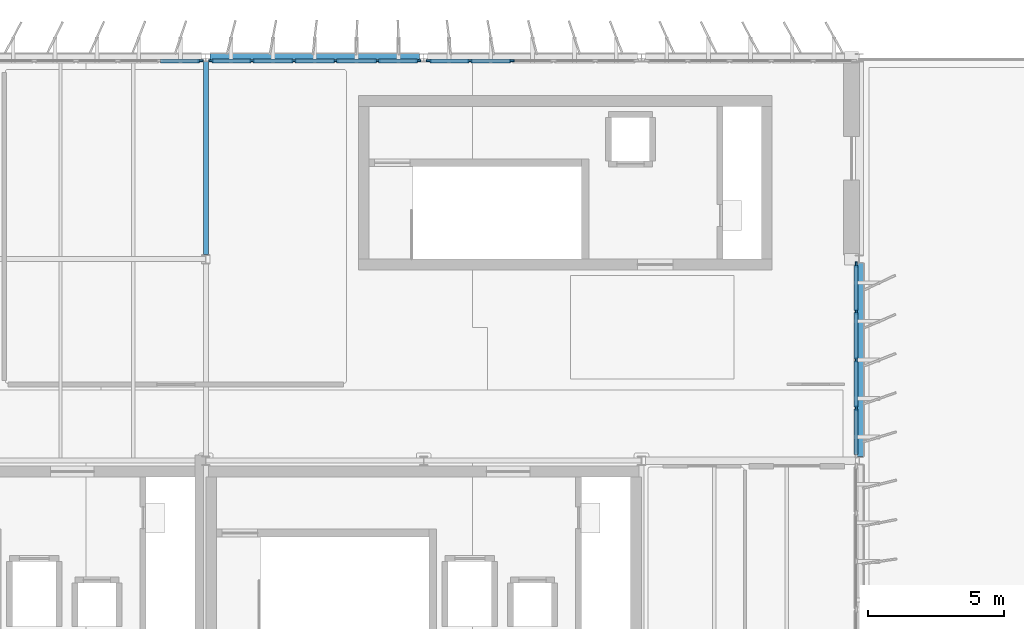
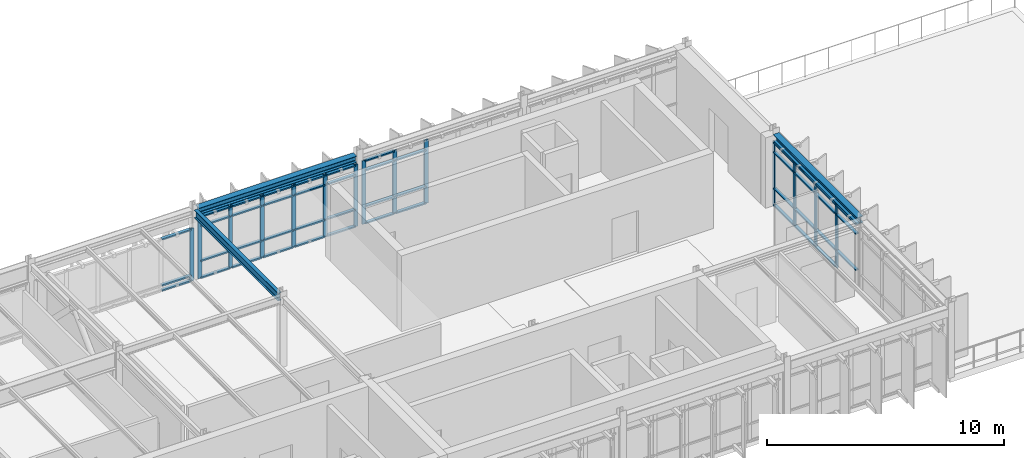
# One storey, part 9 of 20: 59 members, 3 beams, 4 elements without a shape of their own.
"""IFC4 building model written with IfcOpenShell, lengths in metres."""

from ifc_helpers import new_model, si_unit, direction, frame, origin, origin_2d, place, context, subcontext, project, spatial, rectangle, i_section, extrude, material, layer, layer_set, material_profile, profile_set, type_object, element, aggregate, save


model = new_model("IFC4")

# Units and contexts
model_context = context("Model", 3, precision=1e-05, world=origin(), true_north=direction((0.0, 1.0)))
body_context = subcontext(model_context, "Body", "Model", "MODEL_VIEW")
ifc_project = project(units=[si_unit("LENGTHUNIT", "METRE"), si_unit("AREAUNIT", "SQUARE_METRE"), si_unit("VOLUMEUNIT", "CUBIC_METRE"), si_unit("PLANEANGLEUNIT", "RADIAN"), si_unit("MASSUNIT", "GRAM", prefix="KILO")], contexts=[model_context])

# Site, building, storey
site_placement = place(None, origin())
site = spatial("IfcSite", under=ifc_project, at=site_placement, CompositionType="ELEMENT")
building_placement = place(site_placement, origin())
building = spatial("IfcBuilding", under=site, at=building_placement, Name="Valkorina Park Police Headquarters", CompositionType="ELEMENT")
storey_placement = place(building_placement, frame((0.0, 0.0, 31.10009765625)))
storey = spatial("IfcBuildingStorey", under=building, at=storey_placement, Name="L08", CompositionType="ELEMENT", Elevation=31.10009765625)

# Beams
ifc_material_1 = material(Name="Steel S355", Category="steel")
ifc_material_profile_1 = material_profile(ifc_material_1, i_section(OverallWidth=0.300048828125, OverallDepth=0.330078125, WebThickness=0.009521484375, FlangeThickness=0.0166015625, FilletRadius=0.027099609375, at=origin_2d()), Name="HEA 340")
ifc_profile_set_1 = profile_set([ifc_material_profile_1], Name="Steel S355")
beam_type_1 = type_object("IfcBeamType", Name="BM-S355-HEA340-SPN", PredefinedType="SPANDREL", material=ifc_profile_set_1)
beam_1_placement = place(storey_placement, frame((32.949951171875, 59.199951171875, 3.454833984375), z_axis=(1.0, 0.0, 0.0), x_axis=(0.0, 1.0, 0.0)))
element("IfcBeam", 1, at=beam_1_placement, inside=storey, type_object=beam_type_1, Name="L08 Framing Beam 2815", PredefinedType="SPANDREL", context=body_context, shape_type="SweptSolid", body=[
    extrude(i_section(OverallWidth=0.300048828125, OverallDepth=0.330078125, WebThickness=0.009521484375, FlangeThickness=0.0166015625, FilletRadius=0.027099609375, at=origin_2d()), origin(), (0.0, 0.0, 1.0), 7.699951171875),
])
beam_2_placement = place(storey_placement, frame((56.800048828125, 44.550048828125, 3.454833984375), z_axis=(0.0, 1.0, 0.0), x_axis=(-1.0, 0.0, 0.0)))
element("IfcBeam", 2, at=beam_2_placement, inside=storey, type_object=beam_type_1, Name="L08 Framing Beam 2856", PredefinedType="SPANDREL", context=body_context, shape_type="SweptSolid", body=[
    extrude(i_section(OverallWidth=0.300048828125, OverallDepth=0.330078125, WebThickness=0.009521484375, FlangeThickness=0.0166015625, FilletRadius=0.027099609375, at=origin_2d()), origin(), (0.0, 0.0, 1.0), 7.099853515625),
])
ifc_material_profile_2 = material_profile(ifc_material_1, i_section(OverallWidth=0.179931640625, OverallDepth=0.39990234375, WebThickness=0.008544921875, FlangeThickness=0.013427734375, FilletRadius=0.02099609375, at=origin_2d()), Name="IPE 400")
ifc_profile_set_2 = profile_set([ifc_material_profile_2], Name="Steel S355")
beam_type_2 = type_object("IfcBeamType", Name="BM-S355-IPE400-BM", PredefinedType="BEAM", material=ifc_profile_set_2)
beam_3_placement = place(storey_placement, frame((32.800048828125, 51.965087890625, 3.419921875), z_axis=(0.0, 1.0, 0.0), x_axis=(-1.0, 0.0, 0.0)))
element("IfcBeam", 3, at=beam_3_placement, inside=storey, type_object=beam_type_2, Name="L08 Framing Beam 2851", PredefinedType="BEAM", context=body_context, shape_type="SweptSolid", body=[
    extrude(i_section(OverallWidth=0.179931640625, OverallDepth=0.39990234375, WebThickness=0.008544921875, FlangeThickness=0.013427734375, FilletRadius=0.02099609375, at=origin_2d()), origin(), (0.0, 0.0, 1.0), 7.0849609375),
])

# Curtain wall, member
ifc_material_2 = material(Name="Thermally broken aluminium AW-6060", Category="aluminium")
ifc_layer_1 = layer(ifc_material_2, 0.18994140625)
ifc_layer_set_1 = layer_set([ifc_layer_1], Name="Thermally broken aluminium AW-6060")
curtain_wall_type_1 = type_object("IfcCurtainWallType", Name="CW-V5-7680x2710", PredefinedType="NOTDEFINED", material=ifc_layer_set_1)
curtain_wall_1_placement = place(storey_placement, origin())
curtain_wall_1 = element("IfcCurtainWall", 4, at=curtain_wall_1_placement, inside=storey, type_object=curtain_wall_type_1, Name="L08 Unitised Curtain Wall 169", PredefinedType="NOTDEFINED")
ifc_material_profile_3 = material_profile(ifc_material_2, rectangle(XDim=0.070068359375, YDim=0.18994140625, at=origin_2d()), Name="CWM-02 70x190")
ifc_profile_set_3 = profile_set([ifc_material_profile_3], Name="Thermally broken aluminium AW-6060")
member_type_1 = type_object("IfcMemberType", Name="CWM-70x190", PredefinedType="MULLION", material=ifc_profile_set_3)
member_1_placement = place(storey_placement, frame((32.60498046875, 59.080078125, 0.0), z_axis=(0.0, 0.0, 1.0), x_axis=(0.0, 1.0, 0.0)))
member_1 = element("IfcMember", 5, at=member_1_placement, type_object=member_type_1, Name="CW-V5-768-271 mullion 6", PredefinedType="MULLION", context=body_context, shape_type="SweptSolid", body=[
    extrude(rectangle(XDim=0.070068359375, YDim=0.18994140625, at=origin_2d()), origin(), (0.0, 0.0, 1.0), 2.7099609375),
])

# Curtain wall, members
ifc_layer_2 = layer(ifc_material_2, 0.18994140625)
ifc_layer_set_2 = layer_set([ifc_layer_2], Name="Thermally broken aluminium AW-6060")
curtain_wall_type_2 = type_object("IfcCurtainWallType", Name="CW-V5-7680x3210", PredefinedType="NOTDEFINED", material=ifc_layer_set_2)
curtain_wall_2_placement = place(storey_placement, origin())
curtain_wall_2 = element("IfcCurtainWall", 6, at=curtain_wall_2_placement, inside=storey, type_object=curtain_wall_type_2, Name="L08 Unitised Curtain Wall 170", PredefinedType="NOTDEFINED")
member_2_placement = place(storey_placement, frame((32.9951171875, 59.080078125, 0.0), z_axis=(0.0, 0.0, 1.0), x_axis=(0.0, 1.0, 0.0)))
member_2 = element("IfcMember", 7, at=member_2_placement, type_object=member_type_1, Name="CW-V5-768-321 mullion 1", PredefinedType="MULLION", context=body_context, shape_type="SweptSolid", body=[
    extrude(rectangle(XDim=0.070068359375, YDim=0.18994140625, at=origin_2d()), origin(), (0.0, 0.0, 1.0), 3.2099609375),
])
member_3_placement = place(storey_placement, frame((34.49609375, 59.080078125, 0.0), z_axis=(0.0, 0.0, 1.0), x_axis=(0.0, 1.0, 0.0)))
member_3 = element("IfcMember", 8, at=member_3_placement, type_object=member_type_1, Name="CW-V5-768-321 mullion 2", PredefinedType="MULLION", context=body_context, shape_type="SweptSolid", body=[
    extrude(rectangle(XDim=0.070068359375, YDim=0.18994140625, at=origin_2d()), origin(), (0.0, 0.0, 1.0), 3.2099609375),
])
member_4_placement = place(storey_placement, frame((36.031982421875, 59.080078125, 0.0), z_axis=(0.0, 0.0, 1.0), x_axis=(0.0, 1.0, 0.0)))
member_4 = element("IfcMember", 9, at=member_4_placement, type_object=member_type_1, Name="CW-V5-768-321 mullion 3", PredefinedType="MULLION", context=body_context, shape_type="SweptSolid", body=[
    extrude(rectangle(XDim=0.070068359375, YDim=0.18994140625, at=origin_2d()), origin(), (0.0, 0.0, 1.0), 3.2099609375),
])
member_5_placement = place(storey_placement, frame((37.568115234375, 59.080078125, 0.0), z_axis=(0.0, 0.0, 1.0), x_axis=(0.0, 1.0, 0.0)))
member_5 = element("IfcMember", 10, at=member_5_placement, type_object=member_type_1, Name="CW-V5-768-321 mullion 4", PredefinedType="MULLION", context=body_context, shape_type="SweptSolid", body=[
    extrude(rectangle(XDim=0.070068359375, YDim=0.18994140625, at=origin_2d()), origin(), (0.0, 0.0, 1.0), 3.2099609375),
])
member_6_placement = place(storey_placement, frame((39.10400390625, 59.080078125, 0.0), z_axis=(0.0, 0.0, 1.0), x_axis=(0.0, 1.0, 0.0)))
member_6 = element("IfcMember", 11, at=member_6_placement, type_object=member_type_1, Name="CW-V5-768-321 mullion 5", PredefinedType="MULLION", context=body_context, shape_type="SweptSolid", body=[
    extrude(rectangle(XDim=0.070068359375, YDim=0.18994140625, at=origin_2d()), origin(), (0.0, 0.0, 1.0), 3.2099609375),
])
member_7_placement = place(storey_placement, frame((40.60498046875, 59.080078125, 0.0), z_axis=(0.0, 0.0, 1.0), x_axis=(0.0, 1.0, 0.0)))
member_7 = element("IfcMember", 12, at=member_7_placement, type_object=member_type_1, Name="CW-V5-768-321 mullion 6", PredefinedType="MULLION", context=body_context, shape_type="SweptSolid", body=[
    extrude(rectangle(XDim=0.070068359375, YDim=0.18994140625, at=origin_2d()), origin(), (0.0, 0.0, 1.0), 3.2099609375),
])

ifc_layer_3 = layer(ifc_material_2, 0.18994140625)
ifc_layer_set_3 = layer_set([ifc_layer_3], Name="Thermally broken aluminium AW-6060")
curtain_wall_type_3 = type_object("IfcCurtainWallType", Name="CW-V5-7680x3280", PredefinedType="NOTDEFINED", material=ifc_layer_set_3)
curtain_wall_3_placement = place(storey_placement, origin())
curtain_wall_3 = element("IfcCurtainWall", 13, at=curtain_wall_3_placement, inside=storey, type_object=curtain_wall_type_3, Name="L08 Unitised Curtain Wall 171", PredefinedType="NOTDEFINED")
member_8_placement = place(storey_placement, frame((40.9951171875, 59.080078125, 0.0), z_axis=(0.0, 0.0, 1.0), x_axis=(0.0, 1.0, 0.0)))
member_8 = element("IfcMember", 14, at=member_8_placement, type_object=member_type_1, Name="CW-V5-768-328 mullion 1", PredefinedType="MULLION", context=body_context, shape_type="SweptSolid", body=[
    extrude(rectangle(XDim=0.070068359375, YDim=0.18994140625, at=origin_2d()), origin(), (0.0, 0.0, 1.0), 3.27978515625),
])
member_9_placement = place(storey_placement, frame((42.49609375, 59.080078125, 0.0), z_axis=(0.0, 0.0, 1.0), x_axis=(0.0, 1.0, 0.0)))
member_9 = element("IfcMember", 15, at=member_9_placement, type_object=member_type_1, Name="CW-V5-768-328 mullion 2", PredefinedType="MULLION", context=body_context, shape_type="SweptSolid", body=[
    extrude(rectangle(XDim=0.070068359375, YDim=0.18994140625, at=origin_2d()), origin(), (0.0, 0.0, 1.0), 3.27978515625),
])
member_10_placement = place(storey_placement, frame((44.031982421875, 59.080078125, 0.0), z_axis=(0.0, 0.0, 1.0), x_axis=(0.0, 1.0, 0.0)))
member_10 = element("IfcMember", 16, at=member_10_placement, type_object=member_type_1, Name="CW-V5-768-328 mullion 3", PredefinedType="MULLION", context=body_context, shape_type="SweptSolid", body=[
    extrude(rectangle(XDim=0.070068359375, YDim=0.18994140625, at=origin_2d()), origin(), (0.0, 0.0, 1.0), 3.27978515625),
])

ifc_layer_4 = layer(ifc_material_2, 0.18994140625)
ifc_layer_set_4 = layer_set([ifc_layer_4], Name="Thermally broken aluminium AW-6060")
curtain_wall_type_4 = type_object("IfcCurtainWallType", Name="CW-V5-7080x3280", PredefinedType="NOTDEFINED", material=ifc_layer_set_4)
curtain_wall_4_placement = place(storey_placement, origin())
curtain_wall_4 = element("IfcCurtainWall", 17, at=curtain_wall_4_placement, inside=storey, type_object=curtain_wall_type_4, Name="L08 Unitised Curtain Wall 173", PredefinedType="NOTDEFINED")
member_11_placement = place(storey_placement, frame((56.679931640625, 51.60498046875, 0.0), z_axis=(0.0, 0.0, 1.0), x_axis=(1.0, 0.0, 0.0)))
member_11 = element("IfcMember", 18, at=member_11_placement, type_object=member_type_1, Name="CW-V5-708-328 mullion 1", PredefinedType="MULLION", context=body_context, shape_type="SweptSolid", body=[
    extrude(rectangle(XDim=0.070068359375, YDim=0.18994140625, at=origin_2d()), origin(), (0.0, 0.0, 1.0), 3.27978515625),
])
member_12_placement = place(storey_placement, frame((56.679931640625, 49.8701171875, 0.0), z_axis=(0.0, 0.0, 1.0), x_axis=(1.0, 0.0, 0.0)))
member_12 = element("IfcMember", 19, at=member_12_placement, type_object=member_type_1, Name="CW-V5-708-328 mullion 2", PredefinedType="MULLION", context=body_context, shape_type="SweptSolid", body=[
    extrude(rectangle(XDim=0.070068359375, YDim=0.18994140625, at=origin_2d()), origin(), (0.0, 0.0, 1.0), 3.27978515625),
])
member_13_placement = place(storey_placement, frame((56.679931640625, 48.10009765625, 0.0), z_axis=(0.0, 0.0, 1.0), x_axis=(1.0, 0.0, 0.0)))
member_13 = element("IfcMember", 20, at=member_13_placement, type_object=member_type_1, Name="CW-V5-708-328 mullion 3", PredefinedType="MULLION", context=body_context, shape_type="SweptSolid", body=[
    extrude(rectangle(XDim=0.070068359375, YDim=0.18994140625, at=origin_2d()), origin(), (0.0, 0.0, 1.0), 3.27978515625),
])
member_14_placement = place(storey_placement, frame((56.679931640625, 46.330078125, 0.0), z_axis=(0.0, 0.0, 1.0), x_axis=(1.0, 0.0, 0.0)))
member_14 = element("IfcMember", 21, at=member_14_placement, type_object=member_type_1, Name="CW-V5-708-328 mullion 4", PredefinedType="MULLION", context=body_context, shape_type="SweptSolid", body=[
    extrude(rectangle(XDim=0.070068359375, YDim=0.18994140625, at=origin_2d()), origin(), (0.0, 0.0, 1.0), 3.27978515625),
])

# Member
ifc_material_profile_4 = material_profile(ifc_material_2, rectangle(XDim=0.14990234375, YDim=0.070068359375, at=origin_2d()), Name="CWT-02 150x70")
ifc_profile_set_4 = profile_set([ifc_material_profile_4], Name="Thermally broken aluminium AW-6060")
member_type_2 = type_object("IfcMemberType", Name="CWT-150x70", PredefinedType="USERDEFINED", material=ifc_profile_set_4)
member_15_placement = place(storey_placement, frame((31.138916015625, 59.080078125, 0.034912109375), z_axis=(1.0, 0.0, 0.0), x_axis=(0.0, 1.0, 0.0)))
member_15 = element("IfcMember", 22, at=member_15_placement, type_object=member_type_2, Name="CW-V5-768-271 transom 5.1", ObjectType="TRANSOM", PredefinedType="USERDEFINED", context=body_context, shape_type="SweptSolid", body=[
    extrude(rectangle(XDim=0.14990234375, YDim=0.070068359375, at=origin_2d()), origin(), (0.0, 0.0, 1.0), 1.43115234375),
])

member_16_placement = place(storey_placement, frame((31.138916015625, 59.080078125, 0.2998046875), z_axis=(1.0, 0.0, 0.0), x_axis=(0.0, 1.0, 0.0)))
member_16 = element("IfcMember", 23, at=member_16_placement, type_object=member_type_2, Name="CW-V5-768-271 transom 5.2", ObjectType="TRANSOM", PredefinedType="USERDEFINED", context=body_context, shape_type="SweptSolid", body=[
    extrude(rectangle(XDim=0.14990234375, YDim=0.070068359375, at=origin_2d()), origin(), (0.0, 0.0, 1.0), 1.43115234375),
])

member_17_placement = place(storey_placement, frame((31.138916015625, 59.080078125, 2.6748046875), z_axis=(1.0, 0.0, 0.0), x_axis=(0.0, 1.0, 0.0)))
member_17 = element("IfcMember", 24, at=member_17_placement, type_object=member_type_2, Name="CW-V5-768-271 transom 5.3", ObjectType="TRANSOM", PredefinedType="USERDEFINED", context=body_context, shape_type="SweptSolid", body=[
    extrude(rectangle(XDim=0.14990234375, YDim=0.070068359375, at=origin_2d()), origin(), (0.0, 0.0, 1.0), 1.43115234375),
])

aggregate(curtain_wall_1, [member_1, member_15, member_16, member_17])

member_18_placement = place(storey_placement, frame((33.030029296875, 59.080078125, 0.034912109375), z_axis=(1.0, 0.0, 0.0), x_axis=(0.0, 1.0, 0.0)))
member_18 = element("IfcMember", 25, at=member_18_placement, type_object=member_type_2, Name="CW-V5-768-321 transom 1.1", ObjectType="TRANSOM", PredefinedType="USERDEFINED", context=body_context, shape_type="SweptSolid", body=[
    extrude(rectangle(XDim=0.14990234375, YDim=0.070068359375, at=origin_2d()), origin(), (0.0, 0.0, 1.0), 1.430908203125),
])

member_19_placement = place(storey_placement, frame((33.030029296875, 59.080078125, 0.89990234375), z_axis=(1.0, 0.0, 0.0), x_axis=(0.0, 1.0, 0.0)))
member_19 = element("IfcMember", 26, at=member_19_placement, type_object=member_type_2, Name="CW-V5-768-321 transom 1.2", ObjectType="TRANSOM", PredefinedType="USERDEFINED", context=body_context, shape_type="SweptSolid", body=[
    extrude(rectangle(XDim=0.14990234375, YDim=0.070068359375, at=origin_2d()), origin(), (0.0, 0.0, 1.0), 1.430908203125),
])

member_20_placement = place(storey_placement, frame((33.030029296875, 59.080078125, 2.68994140625), z_axis=(1.0, 0.0, 0.0), x_axis=(0.0, 1.0, 0.0)))
member_20 = element("IfcMember", 27, at=member_20_placement, type_object=member_type_2, Name="CW-V5-768-321 transom 1.3", ObjectType="TRANSOM", PredefinedType="USERDEFINED", context=body_context, shape_type="SweptSolid", body=[
    extrude(rectangle(XDim=0.14990234375, YDim=0.070068359375, at=origin_2d()), origin(), (0.0, 0.0, 1.0), 1.430908203125),
])

member_21_placement = place(storey_placement, frame((33.030029296875, 59.080078125, 3.1748046875), z_axis=(1.0, 0.0, 0.0), x_axis=(0.0, 1.0, 0.0)))
member_21 = element("IfcMember", 28, at=member_21_placement, type_object=member_type_2, Name="CW-V5-768-321 transom 1.4", ObjectType="TRANSOM", PredefinedType="USERDEFINED", context=body_context, shape_type="SweptSolid", body=[
    extrude(rectangle(XDim=0.14990234375, YDim=0.070068359375, at=origin_2d()), origin(), (0.0, 0.0, 1.0), 1.430908203125),
])

member_22_placement = place(storey_placement, frame((34.531005859375, 59.080078125, 0.034912109375), z_axis=(1.0, 0.0, 0.0), x_axis=(0.0, 1.0, 0.0)))
member_22 = element("IfcMember", 29, at=member_22_placement, type_object=member_type_2, Name="CW-V5-768-321 transom 2.1", ObjectType="TRANSOM", PredefinedType="USERDEFINED", context=body_context, shape_type="SweptSolid", body=[
    extrude(rectangle(XDim=0.14990234375, YDim=0.070068359375, at=origin_2d()), origin(), (0.0, 0.0, 1.0), 1.466064453125),
])

member_23_placement = place(storey_placement, frame((34.531005859375, 59.080078125, 0.89990234375), z_axis=(1.0, 0.0, 0.0), x_axis=(0.0, 1.0, 0.0)))
member_23 = element("IfcMember", 30, at=member_23_placement, type_object=member_type_2, Name="CW-V5-768-321 transom 2.2", ObjectType="TRANSOM", PredefinedType="USERDEFINED", context=body_context, shape_type="SweptSolid", body=[
    extrude(rectangle(XDim=0.14990234375, YDim=0.070068359375, at=origin_2d()), origin(), (0.0, 0.0, 1.0), 1.466064453125),
])

member_24_placement = place(storey_placement, frame((34.531005859375, 59.080078125, 2.68994140625), z_axis=(1.0, 0.0, 0.0), x_axis=(0.0, 1.0, 0.0)))
member_24 = element("IfcMember", 31, at=member_24_placement, type_object=member_type_2, Name="CW-V5-768-321 transom 2.3", ObjectType="TRANSOM", PredefinedType="USERDEFINED", context=body_context, shape_type="SweptSolid", body=[
    extrude(rectangle(XDim=0.14990234375, YDim=0.070068359375, at=origin_2d()), origin(), (0.0, 0.0, 1.0), 1.466064453125),
])

member_25_placement = place(storey_placement, frame((34.531005859375, 59.080078125, 3.1748046875), z_axis=(1.0, 0.0, 0.0), x_axis=(0.0, 1.0, 0.0)))
member_25 = element("IfcMember", 32, at=member_25_placement, type_object=member_type_2, Name="CW-V5-768-321 transom 2.4", ObjectType="TRANSOM", PredefinedType="USERDEFINED", context=body_context, shape_type="SweptSolid", body=[
    extrude(rectangle(XDim=0.14990234375, YDim=0.070068359375, at=origin_2d()), origin(), (0.0, 0.0, 1.0), 1.466064453125),
])

member_26_placement = place(storey_placement, frame((36.06689453125, 59.080078125, 0.034912109375), z_axis=(1.0, 0.0, 0.0), x_axis=(0.0, 1.0, 0.0)))
member_26 = element("IfcMember", 33, at=member_26_placement, type_object=member_type_2, Name="CW-V5-768-321 transom 3.1", ObjectType="TRANSOM", PredefinedType="USERDEFINED", context=body_context, shape_type="SweptSolid", body=[
    extrude(rectangle(XDim=0.14990234375, YDim=0.070068359375, at=origin_2d()), origin(), (0.0, 0.0, 1.0), 1.466064453125),
])

member_27_placement = place(storey_placement, frame((36.06689453125, 59.080078125, 0.89990234375), z_axis=(1.0, 0.0, 0.0), x_axis=(0.0, 1.0, 0.0)))
member_27 = element("IfcMember", 34, at=member_27_placement, type_object=member_type_2, Name="CW-V5-768-321 transom 3.2", ObjectType="TRANSOM", PredefinedType="USERDEFINED", context=body_context, shape_type="SweptSolid", body=[
    extrude(rectangle(XDim=0.14990234375, YDim=0.070068359375, at=origin_2d()), origin(), (0.0, 0.0, 1.0), 1.466064453125),
])

member_28_placement = place(storey_placement, frame((36.06689453125, 59.080078125, 2.68994140625), z_axis=(1.0, 0.0, 0.0), x_axis=(0.0, 1.0, 0.0)))
member_28 = element("IfcMember", 35, at=member_28_placement, type_object=member_type_2, Name="CW-V5-768-321 transom 3.3", ObjectType="TRANSOM", PredefinedType="USERDEFINED", context=body_context, shape_type="SweptSolid", body=[
    extrude(rectangle(XDim=0.14990234375, YDim=0.070068359375, at=origin_2d()), origin(), (0.0, 0.0, 1.0), 1.466064453125),
])

member_29_placement = place(storey_placement, frame((36.06689453125, 59.080078125, 3.1748046875), z_axis=(1.0, 0.0, 0.0), x_axis=(0.0, 1.0, 0.0)))
member_29 = element("IfcMember", 36, at=member_29_placement, type_object=member_type_2, Name="CW-V5-768-321 transom 3.4", ObjectType="TRANSOM", PredefinedType="USERDEFINED", context=body_context, shape_type="SweptSolid", body=[
    extrude(rectangle(XDim=0.14990234375, YDim=0.070068359375, at=origin_2d()), origin(), (0.0, 0.0, 1.0), 1.466064453125),
])

member_30_placement = place(storey_placement, frame((37.60302734375, 59.080078125, 0.034912109375), z_axis=(1.0, 0.0, 0.0), x_axis=(0.0, 1.0, 0.0)))
member_30 = element("IfcMember", 37, at=member_30_placement, type_object=member_type_2, Name="CW-V5-768-321 transom 4.1", ObjectType="TRANSOM", PredefinedType="USERDEFINED", context=body_context, shape_type="SweptSolid", body=[
    extrude(rectangle(XDim=0.14990234375, YDim=0.070068359375, at=origin_2d()), origin(), (0.0, 0.0, 1.0), 1.466064453125),
])

member_31_placement = place(storey_placement, frame((37.60302734375, 59.080078125, 0.89990234375), z_axis=(1.0, 0.0, 0.0), x_axis=(0.0, 1.0, 0.0)))
member_31 = element("IfcMember", 38, at=member_31_placement, type_object=member_type_2, Name="CW-V5-768-321 transom 4.2", ObjectType="TRANSOM", PredefinedType="USERDEFINED", context=body_context, shape_type="SweptSolid", body=[
    extrude(rectangle(XDim=0.14990234375, YDim=0.070068359375, at=origin_2d()), origin(), (0.0, 0.0, 1.0), 1.466064453125),
])

member_32_placement = place(storey_placement, frame((37.60302734375, 59.080078125, 2.68994140625), z_axis=(1.0, 0.0, 0.0), x_axis=(0.0, 1.0, 0.0)))
member_32 = element("IfcMember", 39, at=member_32_placement, type_object=member_type_2, Name="CW-V5-768-321 transom 4.3", ObjectType="TRANSOM", PredefinedType="USERDEFINED", context=body_context, shape_type="SweptSolid", body=[
    extrude(rectangle(XDim=0.14990234375, YDim=0.070068359375, at=origin_2d()), origin(), (0.0, 0.0, 1.0), 1.466064453125),
])

member_33_placement = place(storey_placement, frame((37.60302734375, 59.080078125, 3.1748046875), z_axis=(1.0, 0.0, 0.0), x_axis=(0.0, 1.0, 0.0)))
member_33 = element("IfcMember", 40, at=member_33_placement, type_object=member_type_2, Name="CW-V5-768-321 transom 4.4", ObjectType="TRANSOM", PredefinedType="USERDEFINED", context=body_context, shape_type="SweptSolid", body=[
    extrude(rectangle(XDim=0.14990234375, YDim=0.070068359375, at=origin_2d()), origin(), (0.0, 0.0, 1.0), 1.466064453125),
])

member_34_placement = place(storey_placement, frame((39.138916015625, 59.080078125, 0.034912109375), z_axis=(1.0, 0.0, 0.0), x_axis=(0.0, 1.0, 0.0)))
member_34 = element("IfcMember", 41, at=member_34_placement, type_object=member_type_2, Name="CW-V5-768-321 transom 5.1", ObjectType="TRANSOM", PredefinedType="USERDEFINED", context=body_context, shape_type="SweptSolid", body=[
    extrude(rectangle(XDim=0.14990234375, YDim=0.070068359375, at=origin_2d()), origin(), (0.0, 0.0, 1.0), 1.43115234375),
])

member_35_placement = place(storey_placement, frame((39.138916015625, 59.080078125, 0.89990234375), z_axis=(1.0, 0.0, 0.0), x_axis=(0.0, 1.0, 0.0)))
member_35 = element("IfcMember", 42, at=member_35_placement, type_object=member_type_2, Name="CW-V5-768-321 transom 5.2", ObjectType="TRANSOM", PredefinedType="USERDEFINED", context=body_context, shape_type="SweptSolid", body=[
    extrude(rectangle(XDim=0.14990234375, YDim=0.070068359375, at=origin_2d()), origin(), (0.0, 0.0, 1.0), 1.43115234375),
])

member_36_placement = place(storey_placement, frame((39.138916015625, 59.080078125, 2.68994140625), z_axis=(1.0, 0.0, 0.0), x_axis=(0.0, 1.0, 0.0)))
member_36 = element("IfcMember", 43, at=member_36_placement, type_object=member_type_2, Name="CW-V5-768-321 transom 5.3", ObjectType="TRANSOM", PredefinedType="USERDEFINED", context=body_context, shape_type="SweptSolid", body=[
    extrude(rectangle(XDim=0.14990234375, YDim=0.070068359375, at=origin_2d()), origin(), (0.0, 0.0, 1.0), 1.43115234375),
])

member_37_placement = place(storey_placement, frame((39.138916015625, 59.080078125, 3.1748046875), z_axis=(1.0, 0.0, 0.0), x_axis=(0.0, 1.0, 0.0)))
member_37 = element("IfcMember", 44, at=member_37_placement, type_object=member_type_2, Name="CW-V5-768-321 transom 5.4", ObjectType="TRANSOM", PredefinedType="USERDEFINED", context=body_context, shape_type="SweptSolid", body=[
    extrude(rectangle(XDim=0.14990234375, YDim=0.070068359375, at=origin_2d()), origin(), (0.0, 0.0, 1.0), 1.43115234375),
])

aggregate(curtain_wall_2, [member_2, member_3, member_4, member_5, member_6, member_7, member_18, member_19, member_20, member_21, member_22, member_23, member_24, member_25, member_26, member_27, member_28, member_29, member_30, member_31, member_32, member_33, member_34, member_35, member_36, member_37])

member_38_placement = place(storey_placement, frame((41.030029296875, 59.080078125, 0.034912109375), z_axis=(1.0, 0.0, 0.0), x_axis=(0.0, 1.0, 0.0)))
member_38 = element("IfcMember", 45, at=member_38_placement, type_object=member_type_2, Name="CW-V5-768-328 transom 1.1", ObjectType="TRANSOM", PredefinedType="USERDEFINED", context=body_context, shape_type="SweptSolid", body=[
    extrude(rectangle(XDim=0.14990234375, YDim=0.070068359375, at=origin_2d()), origin(), (0.0, 0.0, 1.0), 1.430908203125),
])

member_39_placement = place(storey_placement, frame((41.030029296875, 59.080078125, 0.89990234375), z_axis=(1.0, 0.0, 0.0), x_axis=(0.0, 1.0, 0.0)))
member_39 = element("IfcMember", 46, at=member_39_placement, type_object=member_type_2, Name="CW-V5-768-328 transom 1.2", ObjectType="TRANSOM", PredefinedType="USERDEFINED", context=body_context, shape_type="SweptSolid", body=[
    extrude(rectangle(XDim=0.14990234375, YDim=0.070068359375, at=origin_2d()), origin(), (0.0, 0.0, 1.0), 1.430908203125),
])

member_40_placement = place(storey_placement, frame((41.030029296875, 59.080078125, 2.760009765625), z_axis=(1.0, 0.0, 0.0), x_axis=(0.0, 1.0, 0.0)))
member_40 = element("IfcMember", 47, at=member_40_placement, type_object=member_type_2, Name="CW-V5-768-328 transom 1.3", ObjectType="TRANSOM", PredefinedType="USERDEFINED", context=body_context, shape_type="SweptSolid", body=[
    extrude(rectangle(XDim=0.14990234375, YDim=0.070068359375, at=origin_2d()), origin(), (0.0, 0.0, 1.0), 1.430908203125),
])

member_41_placement = place(storey_placement, frame((41.030029296875, 59.080078125, 3.244873046875), z_axis=(1.0, 0.0, 0.0), x_axis=(0.0, 1.0, 0.0)))
member_41 = element("IfcMember", 48, at=member_41_placement, type_object=member_type_2, Name="CW-V5-768-328 transom 1.4", ObjectType="TRANSOM", PredefinedType="USERDEFINED", context=body_context, shape_type="SweptSolid", body=[
    extrude(rectangle(XDim=0.14990234375, YDim=0.070068359375, at=origin_2d()), origin(), (0.0, 0.0, 1.0), 1.430908203125),
])

member_42_placement = place(storey_placement, frame((42.531005859375, 59.080078125, 0.034912109375), z_axis=(1.0, 0.0, 0.0), x_axis=(0.0, 1.0, 0.0)))
member_42 = element("IfcMember", 49, at=member_42_placement, type_object=member_type_2, Name="CW-V5-768-328 transom 2.1", ObjectType="TRANSOM", PredefinedType="USERDEFINED", context=body_context, shape_type="SweptSolid", body=[
    extrude(rectangle(XDim=0.14990234375, YDim=0.070068359375, at=origin_2d()), origin(), (0.0, 0.0, 1.0), 1.466064453125),
])

member_43_placement = place(storey_placement, frame((42.531005859375, 59.080078125, 0.89990234375), z_axis=(1.0, 0.0, 0.0), x_axis=(0.0, 1.0, 0.0)))
member_43 = element("IfcMember", 50, at=member_43_placement, type_object=member_type_2, Name="CW-V5-768-328 transom 2.2", ObjectType="TRANSOM", PredefinedType="USERDEFINED", context=body_context, shape_type="SweptSolid", body=[
    extrude(rectangle(XDim=0.14990234375, YDim=0.070068359375, at=origin_2d()), origin(), (0.0, 0.0, 1.0), 1.466064453125),
])

member_44_placement = place(storey_placement, frame((42.531005859375, 59.080078125, 2.760009765625), z_axis=(1.0, 0.0, 0.0), x_axis=(0.0, 1.0, 0.0)))
member_44 = element("IfcMember", 51, at=member_44_placement, type_object=member_type_2, Name="CW-V5-768-328 transom 2.3", ObjectType="TRANSOM", PredefinedType="USERDEFINED", context=body_context, shape_type="SweptSolid", body=[
    extrude(rectangle(XDim=0.14990234375, YDim=0.070068359375, at=origin_2d()), origin(), (0.0, 0.0, 1.0), 1.466064453125),
])

aggregate(curtain_wall_3, [member_8, member_9, member_10, member_38, member_39, member_40, member_41, member_42, member_43, member_44])

member_45_placement = place(storey_placement, frame((56.679931640625, 51.570068359375, 0.034912109375), z_axis=(0.0, -1.0, 0.0), x_axis=(1.0, 0.0, 0.0)))
member_45 = element("IfcMember", 52, at=member_45_placement, type_object=member_type_2, Name="CW-V5-708-328 transom 1.1", ObjectType="TRANSOM", PredefinedType="USERDEFINED", context=body_context, shape_type="SweptSolid", body=[
    extrude(rectangle(XDim=0.14990234375, YDim=0.070068359375, at=origin_2d()), origin(), (0.0, 0.0, 1.0), 1.6650390625),
])

member_46_placement = place(storey_placement, frame((56.679931640625, 51.570068359375, 0.89990234375), z_axis=(0.0, -1.0, 0.0), x_axis=(1.0, 0.0, 0.0)))
member_46 = element("IfcMember", 53, at=member_46_placement, type_object=member_type_2, Name="CW-V5-708-328 transom 1.2", ObjectType="TRANSOM", PredefinedType="USERDEFINED", context=body_context, shape_type="SweptSolid", body=[
    extrude(rectangle(XDim=0.14990234375, YDim=0.070068359375, at=origin_2d()), origin(), (0.0, 0.0, 1.0), 1.6650390625),
])

member_47_placement = place(storey_placement, frame((56.679931640625, 51.570068359375, 2.760009765625), z_axis=(0.0, -1.0, 0.0), x_axis=(1.0, 0.0, 0.0)))
member_47 = element("IfcMember", 54, at=member_47_placement, type_object=member_type_2, Name="CW-V5-708-328 transom 1.3", ObjectType="TRANSOM", PredefinedType="USERDEFINED", context=body_context, shape_type="SweptSolid", body=[
    extrude(rectangle(XDim=0.14990234375, YDim=0.070068359375, at=origin_2d()), origin(), (0.0, 0.0, 1.0), 1.6650390625),
])

member_48_placement = place(storey_placement, frame((56.679931640625, 51.570068359375, 3.244873046875), z_axis=(0.0, -1.0, 0.0), x_axis=(1.0, 0.0, 0.0)))
member_48 = element("IfcMember", 55, at=member_48_placement, type_object=member_type_2, Name="CW-V5-708-328 transom 1.4", ObjectType="TRANSOM", PredefinedType="USERDEFINED", context=body_context, shape_type="SweptSolid", body=[
    extrude(rectangle(XDim=0.14990234375, YDim=0.070068359375, at=origin_2d()), origin(), (0.0, 0.0, 1.0), 1.6650390625),
])

member_49_placement = place(storey_placement, frame((56.679931640625, 49.8349609375, 0.034912109375), z_axis=(0.0, -1.0, 0.0), x_axis=(1.0, 0.0, 0.0)))
member_49 = element("IfcMember", 56, at=member_49_placement, type_object=member_type_2, Name="CW-V5-708-328 transom 2.1", ObjectType="TRANSOM", PredefinedType="USERDEFINED", context=body_context, shape_type="SweptSolid", body=[
    extrude(rectangle(XDim=0.14990234375, YDim=0.070068359375, at=origin_2d()), origin(), (0.0, 0.0, 1.0), 1.699951171875),
])

member_50_placement = place(storey_placement, frame((56.679931640625, 49.8349609375, 0.89990234375), z_axis=(0.0, -1.0, 0.0), x_axis=(1.0, 0.0, 0.0)))
member_50 = element("IfcMember", 57, at=member_50_placement, type_object=member_type_2, Name="CW-V5-708-328 transom 2.2", ObjectType="TRANSOM", PredefinedType="USERDEFINED", context=body_context, shape_type="SweptSolid", body=[
    extrude(rectangle(XDim=0.14990234375, YDim=0.070068359375, at=origin_2d()), origin(), (0.0, 0.0, 1.0), 1.699951171875),
])

member_51_placement = place(storey_placement, frame((56.679931640625, 49.8349609375, 2.760009765625), z_axis=(0.0, -1.0, 0.0), x_axis=(1.0, 0.0, 0.0)))
member_51 = element("IfcMember", 58, at=member_51_placement, type_object=member_type_2, Name="CW-V5-708-328 transom 2.3", ObjectType="TRANSOM", PredefinedType="USERDEFINED", context=body_context, shape_type="SweptSolid", body=[
    extrude(rectangle(XDim=0.14990234375, YDim=0.070068359375, at=origin_2d()), origin(), (0.0, 0.0, 1.0), 1.699951171875),
])

member_52_placement = place(storey_placement, frame((56.679931640625, 49.8349609375, 3.244873046875), z_axis=(0.0, -1.0, 0.0), x_axis=(1.0, 0.0, 0.0)))
member_52 = element("IfcMember", 59, at=member_52_placement, type_object=member_type_2, Name="CW-V5-708-328 transom 2.4", ObjectType="TRANSOM", PredefinedType="USERDEFINED", context=body_context, shape_type="SweptSolid", body=[
    extrude(rectangle(XDim=0.14990234375, YDim=0.070068359375, at=origin_2d()), origin(), (0.0, 0.0, 1.0), 1.699951171875),
])

member_53_placement = place(storey_placement, frame((56.679931640625, 48.06494140625, 0.034912109375), z_axis=(0.0, -1.0, 0.0), x_axis=(1.0, 0.0, 0.0)))
member_53 = element("IfcMember", 60, at=member_53_placement, type_object=member_type_2, Name="CW-V5-708-328 transom 3.1", ObjectType="TRANSOM", PredefinedType="USERDEFINED", context=body_context, shape_type="SweptSolid", body=[
    extrude(rectangle(XDim=0.14990234375, YDim=0.070068359375, at=origin_2d()), origin(), (0.0, 0.0, 1.0), 1.699951171875),
])

member_54_placement = place(storey_placement, frame((56.679931640625, 48.06494140625, 0.89990234375), z_axis=(0.0, -1.0, 0.0), x_axis=(1.0, 0.0, 0.0)))
member_54 = element("IfcMember", 61, at=member_54_placement, type_object=member_type_2, Name="CW-V5-708-328 transom 3.2", ObjectType="TRANSOM", PredefinedType="USERDEFINED", context=body_context, shape_type="SweptSolid", body=[
    extrude(rectangle(XDim=0.14990234375, YDim=0.070068359375, at=origin_2d()), origin(), (0.0, 0.0, 1.0), 1.699951171875),
])

member_55_placement = place(storey_placement, frame((56.679931640625, 48.06494140625, 2.760009765625), z_axis=(0.0, -1.0, 0.0), x_axis=(1.0, 0.0, 0.0)))
member_55 = element("IfcMember", 62, at=member_55_placement, type_object=member_type_2, Name="CW-V5-708-328 transom 3.3", ObjectType="TRANSOM", PredefinedType="USERDEFINED", context=body_context, shape_type="SweptSolid", body=[
    extrude(rectangle(XDim=0.14990234375, YDim=0.070068359375, at=origin_2d()), origin(), (0.0, 0.0, 1.0), 1.699951171875),
])

member_56_placement = place(storey_placement, frame((56.679931640625, 48.06494140625, 3.244873046875), z_axis=(0.0, -1.0, 0.0), x_axis=(1.0, 0.0, 0.0)))
member_56 = element("IfcMember", 63, at=member_56_placement, type_object=member_type_2, Name="CW-V5-708-328 transom 3.4", ObjectType="TRANSOM", PredefinedType="USERDEFINED", context=body_context, shape_type="SweptSolid", body=[
    extrude(rectangle(XDim=0.14990234375, YDim=0.070068359375, at=origin_2d()), origin(), (0.0, 0.0, 1.0), 1.699951171875),
])

member_57_placement = place(storey_placement, frame((56.679931640625, 46.294921875, 0.89990234375), z_axis=(0.0, -1.0, 0.0), x_axis=(1.0, 0.0, 0.0)))
member_57 = element("IfcMember", 64, at=member_57_placement, type_object=member_type_2, Name="CW-V5-708-328 transom 4.2", ObjectType="TRANSOM", PredefinedType="USERDEFINED", context=body_context, shape_type="SweptSolid", body=[
    extrude(rectangle(XDim=0.14990234375, YDim=0.070068359375, at=origin_2d()), origin(), (0.0, 0.0, 1.0), 1.6650390625),
])

member_58_placement = place(storey_placement, frame((56.679931640625, 46.294921875, 2.760009765625), z_axis=(0.0, -1.0, 0.0), x_axis=(1.0, 0.0, 0.0)))
member_58 = element("IfcMember", 65, at=member_58_placement, type_object=member_type_2, Name="CW-V5-708-328 transom 4.3", ObjectType="TRANSOM", PredefinedType="USERDEFINED", context=body_context, shape_type="SweptSolid", body=[
    extrude(rectangle(XDim=0.14990234375, YDim=0.070068359375, at=origin_2d()), origin(), (0.0, 0.0, 1.0), 1.6650390625),
])

member_59_placement = place(storey_placement, frame((56.679931640625, 46.294921875, 3.244873046875), z_axis=(0.0, -1.0, 0.0), x_axis=(1.0, 0.0, 0.0)))
member_59 = element("IfcMember", 66, at=member_59_placement, type_object=member_type_2, Name="CW-V5-708-328 transom 4.4", ObjectType="TRANSOM", PredefinedType="USERDEFINED", context=body_context, shape_type="SweptSolid", body=[
    extrude(rectangle(XDim=0.14990234375, YDim=0.070068359375, at=origin_2d()), origin(), (0.0, 0.0, 1.0), 1.6650390625),
])

aggregate(curtain_wall_4, [member_11, member_12, member_13, member_14, member_45, member_46, member_47, member_48, member_49, member_50, member_51, member_52, member_53, member_54, member_55, member_56, member_57, member_58, member_59])

save(model, "model.ifc")
